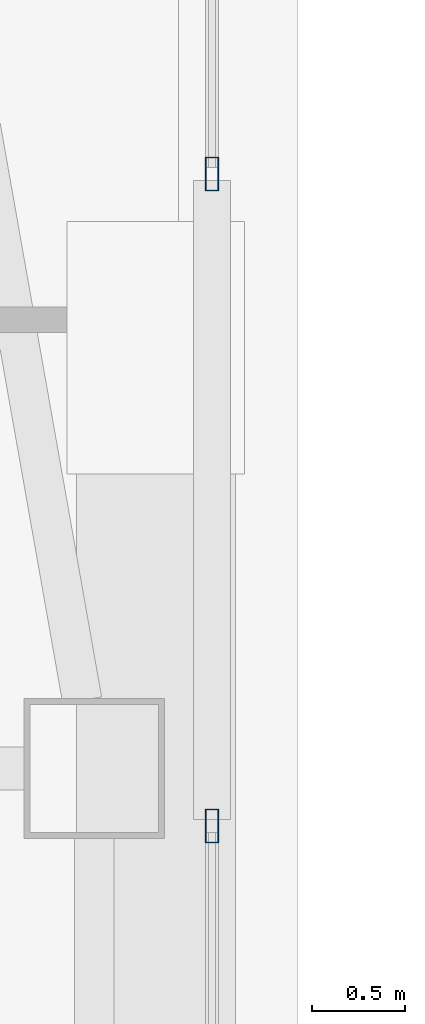
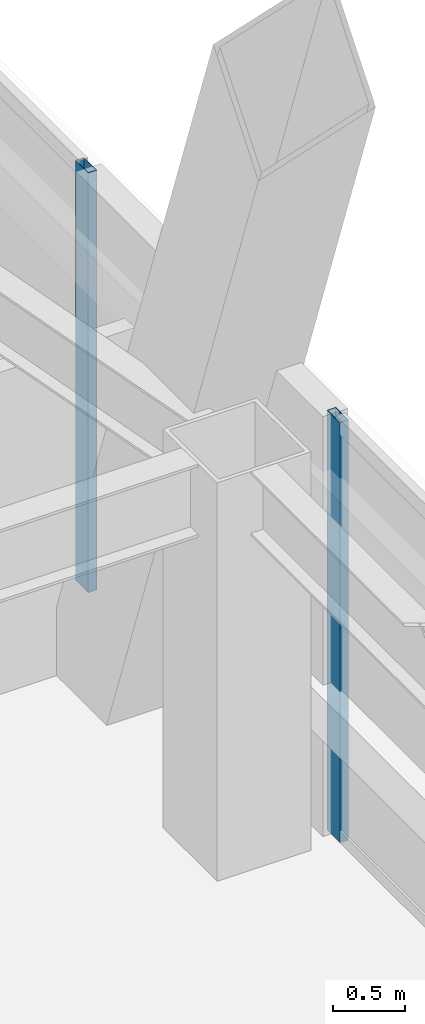
# One storey, part 15 of 55: 2 members, 2 elements without a shape of their own.
"""IFC4 building model written with IfcOpenShell, lengths in metres."""

import ifcopenshell
import ifcopenshell.guid

model = None  # the IFC model being written
_history = None  # IfcOwnerHistory: only IFC2X3 demands one
_inside = {}  # id of a spatial element -> (the spatial element, [elements in it])
_under = {}  # id of a project, library or spatial element -> (it, [spatial elements below it])
_declared = {}  # id of a project -> (the project, [libraries it declares])
_typed = {}  # id of a type object -> (the type object, [elements of that type])
_made_of = {}  # id of a material, layer set ... -> (it, [elements and type objects made of it])


def new_model(schema):
    """Start an empty IFC model of exactly this schema.

    Asked for "IFC4X3", IfcOpenShell would pick the latest addendum, in which some entities
    have other attributes; the version numbers below select the first issue.
    IFC2X3 requires an IfcOwnerHistory on every rooted entity: one is made here for all.
    """
    global model, _history
    if schema == "IFC4X3":
        model = ifcopenshell.file(schema_version=(4, 3, 0, 0))
    else:
        model = ifcopenshell.file(schema=schema)
    _inside.clear()
    _under.clear()
    _declared.clear()
    _typed.clear()
    _made_of.clear()
    _history = None
    if model.schema == "IFC2X3":
        org = make("IfcOrganization", Name="unknown")
        user = make(
            "IfcPersonAndOrganization",
            ThePerson=make("IfcPerson", FamilyName="unknown"),
            TheOrganization=org,
        )
        app = make(
            "IfcApplication",
            ApplicationDeveloper=org,
            Version="unknown",
            ApplicationFullName="unknown",
            ApplicationIdentifier="unknown",
        )
        _history = make(
            "IfcOwnerHistory",
            OwningUser=user,
            OwningApplication=app,
            ChangeAction="ADDED",
            CreationDate=0,
        )
    return model


def make(cls, **values):
    """One entity of the class cls with the attributes given. An attribute that is None is left unset."""
    return model.create_entity(
        cls, **{name: value for name, value in values.items() if value is not None}
    )


def rooted(cls, **values):
    """An entity with a GlobalId (a new one), such as an element, a storey or a relation."""
    return make(cls, GlobalId=ifcopenshell.guid.new(), OwnerHistory=_history, **values)


def si_unit(unit_type, name, prefix=None):
    """IfcSIUnit, for example si_unit("LENGTHUNIT", "METRE", prefix="MILLI")."""
    return make("IfcSIUnit", UnitType=unit_type, Prefix=prefix, Name=name)


def assignment(units):
    """IfcUnitAssignment: the units of a project."""
    return None if units is None else make("IfcUnitAssignment", Units=units)


def point(xyz):
    """IfcCartesianPoint."""
    return None if xyz is None else make("IfcCartesianPoint", Coordinates=xyz)


def direction(xyz):
    """IfcDirection."""
    return None if xyz is None else make("IfcDirection", DirectionRatios=xyz)


def frame(location, z_axis=None, x_axis=None):
    """IfcAxis2Placement3D, a coordinate frame: its origin and axes. An axis left out is left unset."""
    return make(
        "IfcAxis2Placement3D",
        Location=point(location),
        Axis=direction(z_axis),
        RefDirection=direction(x_axis),
    )


def frame_2d(location, x_axis=None):
    """IfcAxis2Placement2D, a coordinate frame in the plane: its origin and x axis."""
    return make(
        "IfcAxis2Placement2D", Location=point(location), RefDirection=direction(x_axis)
    )


def origin():
    """The frame at (0, 0, 0) with its axes left unset."""
    return frame((0.0, 0.0, 0.0))


def origin_2d():
    """The frame at (0, 0) in the plane with its x axis left unset."""
    return frame_2d((0.0, 0.0))


def place(relative_to, where):
    """IfcLocalPlacement: puts the frame where relative to a parent placement (None: the world)."""
    return make(
        "IfcLocalPlacement", PlacementRelTo=relative_to, RelativePlacement=where
    )


def context(
    kind, dimensions, precision=None, world=None, true_north=None, identifier=None
):
    """IfcGeometricRepresentationContext, for example the 3D "Model" context."""
    return make(
        "IfcGeometricRepresentationContext",
        ContextIdentifier=identifier,
        ContextType=kind,
        CoordinateSpaceDimension=dimensions,
        Precision=precision,
        WorldCoordinateSystem=world,
        TrueNorth=true_north,
    )


def subcontext(parent, identifier, kind, view, scale=None):
    """IfcGeometricRepresentationSubContext, for example "Body" below "Model"."""
    return make(
        "IfcGeometricRepresentationSubContext",
        ContextIdentifier=identifier,
        ContextType=kind,
        ParentContext=parent,
        TargetScale=scale,
        TargetView=view,
    )


def project(units=None, contexts=None):
    """IfcProject with its units and contexts."""
    return rooted(
        "IfcProject",
        Name="project",
        RepresentationContexts=contexts,
        UnitsInContext=assignment(units),
    )


def spatial(cls, under=None, at=None, **own):
    """A site, building, storey or space (cls), placed at a placement, below another one or the project."""
    s = rooted(cls, ObjectPlacement=at, **own)
    if under is not None:
        _under.setdefault(under.id(), (under, []))[1].append(s)
    return s


def profile(cls, at=None, kind="AREA", **sizes):
    """A parametric profile (cls). Its sizes go by their IFC names, for example OverallWidth=200.0."""
    return make(cls, ProfileType=kind, Position=at, **sizes)


def hollow_rectangle(**sizes):
    """IfcRectangleHollowProfileDef."""
    return profile("IfcRectangleHollowProfileDef", **sizes)


def extrude(swept, where, along, depth):
    """IfcExtrudedAreaSolid: the profile swept, set in the frame where, extruded along a direction by depth."""
    return make(
        "IfcExtrudedAreaSolid",
        SweptArea=swept,
        Position=where,
        ExtrudedDirection=direction(along),
        Depth=depth,
    )


def shape(context_of_items, identifier, shape_type, items):
    """IfcShapeRepresentation: the items that make up one representation, for example the "Body"."""
    return make(
        "IfcShapeRepresentation",
        ContextOfItems=context_of_items,
        RepresentationIdentifier=identifier,
        RepresentationType=shape_type,
        Items=items,
    )


def material(Name=None, Category=None):
    """IfcMaterial."""
    return make("IfcMaterial", Name=Name, Category=Category)


def material_profile(
    of_material, cross_section, Name=None, Category=None, Priority=None
):
    """IfcMaterialProfile: a cross section and its material."""
    return make(
        "IfcMaterialProfile",
        Name=Name,
        Material=of_material,
        Profile=cross_section,
        Priority=Priority,
        Category=Category,
    )


def profile_set(profiles, Name=None, composite=None):
    """IfcMaterialProfileSet."""
    return make(
        "IfcMaterialProfileSet",
        Name=Name,
        MaterialProfiles=profiles,
        CompositeProfile=composite,
    )


def made_of(thing, what):
    """Note that an element or type object is made of a material, layer set ...; save() writes the relation."""
    if what is not None:
        _made_of.setdefault(what.id(), (what, []))[1].append(thing)
    return thing


def type_object(cls, material=None, **own):
    """A type object (cls), such as IfcWallType, which elements share."""
    return made_of(rooted(cls, **own), material)


def element(
    cls,
    number,
    at=None,
    inside=None,
    cuts=None,
    type_object=None,
    material=None,
    context=None,
    identifier="Body",
    shape_type=None,
    held_by="IfcProductDefinitionShape",
    body=None,
    shapes=None,
    **own,
):
    """One element of the class cls, such as IfcWall. Its Tag is "e" and its number.

    at: its placement. inside: the storey or other place that contains it. cuts: it is an
    opening in that element (IfcRelVoidsElement). A single representation is given by context,
    identifier, shape_type and body (its items); several are given by shapes. held_by: the class
    of the entity that holds the representations. save() writes the other relations.
    """
    e = rooted(cls, Tag="e%d" % number, ObjectPlacement=at, **own)
    if body is not None:
        shapes = [shape(context, identifier, shape_type, body)]
    if shapes is not None:
        e.Representation = make(held_by, Representations=shapes)
    if inside is not None:
        _inside.setdefault(inside.id(), (inside, []))[1].append(e)
    if cuts is not None:
        rooted(
            "IfcRelVoidsElement", RelatingBuildingElement=cuts, RelatedOpeningElement=e
        )
    if type_object is not None:
        _typed.setdefault(type_object.id(), (type_object, []))[1].append(e)
    return made_of(e, material)


def aggregate(whole, parts):
    """IfcRelAggregates: a whole, such as a stair, and the parts it consists of."""
    return rooted("IfcRelAggregates", RelatingObject=whole, RelatedObjects=parts)


def save(model, path):
    """Write the relations noted so far, then the file.

    IfcRelAggregates (storeys below a building ...), IfcRelContainedInSpatialStructure (elements
    in a storey), IfcRelDefinesByType, IfcRelAssociatesMaterial and IfcRelDeclares: one each for
    every whole, place, type object, material and project.
    """
    for whole, parts in _under.values():
        aggregate(whole, parts)
    for where, things in _inside.values():
        rooted(
            "IfcRelContainedInSpatialStructure",
            RelatedElements=things,
            RelatingStructure=where,
        )
    for kind, things in _typed.values():
        rooted("IfcRelDefinesByType", RelatedObjects=things, RelatingType=kind)
    for what, things in _made_of.values():
        rooted("IfcRelAssociatesMaterial", RelatedObjects=things, RelatingMaterial=what)
    for by, libraries in _declared.values():
        rooted("IfcRelDeclares", RelatingContext=by, RelatedDefinitions=libraries)
    model.write(path)


model = new_model("IFC4")

# Units and contexts
model_context = context("Model", 3, precision=1e-05, world=origin(), true_north=direction((0.0, 1.0)))
body_context = subcontext(model_context, "Body", "Model", "MODEL_VIEW")
ifc_project = project(units=[si_unit("LENGTHUNIT", "METRE"), si_unit("AREAUNIT", "SQUARE_METRE"), si_unit("VOLUMEUNIT", "CUBIC_METRE"), si_unit("PLANEANGLEUNIT", "RADIAN"), si_unit("MASSUNIT", "GRAM", prefix="KILO")], contexts=[model_context])

# Site, building, storey
site_placement = place(None, origin())
site = spatial("IfcSite", under=ifc_project, at=site_placement, CompositionType="ELEMENT")
building_placement = place(site_placement, origin())
building = spatial("IfcBuilding", under=site, at=building_placement, Name="Tashvorn Skyway Center", CompositionType="ELEMENT")
storey_placement = place(building_placement, frame((0.0, 0.0, 178.300048828125)))
storey = spatial("IfcBuildingStorey", under=building, at=storey_placement, Name="L48", CompositionType="ELEMENT", Elevation=178.300048828125)

# Curtain wall, member
ifc_material = material(Name="Thermally broken bronze-anodized aluminium 6063-T6", Category="aluminium")
curtain_wall_type = type_object("IfcCurtainWallType", Name="CW-CW-Z4", PredefinedType="NOTDEFINED", material=ifc_material)
curtain_wall_1_placement = place(storey_placement, origin())
curtain_wall_1 = element("IfcCurtainWall", 1, at=curtain_wall_1_placement, inside=storey, type_object=curtain_wall_type, Name="Tower 1 L48 East Unitised Curtain Wall Glazing Group 1", PredefinedType="NOTDEFINED")
ifc_material_profile = material_profile(ifc_material, hollow_rectangle(XDim=0.070068359375, YDim=0.179931640625, WallThickness=0.00390625, at=origin_2d()), Name="ALU-MULL-70x180")
ifc_profile_set = profile_set([ifc_material_profile], Name="Thermally broken bronze-anodized aluminium 6063-T6")
member_type = type_object("IfcMemberType", Name="CWM-CW-Z4", PredefinedType="MULLION", material=ifc_profile_set)
member_1_placement = place(storey_placement, frame((59.679931640625, 40.579345703125, 0.0), z_axis=(0.0, 0.0, 1.0), x_axis=(1.0, 0.0, 0.0)))
member_1 = element("IfcMember", 2, at=member_1_placement, type_object=member_type, Name="CW-Z4 mullion 3", PredefinedType="MULLION", context=body_context, shape_type="SweptSolid", body=[
    extrude(hollow_rectangle(XDim=0.070068359375, YDim=0.179931640625, WallThickness=0.00390625, at=origin_2d()), origin(), (0.0, 0.0, 1.0), 3.550048828125),
])
aggregate(curtain_wall_1, [member_1])

curtain_wall_2_placement = place(storey_placement, origin())
curtain_wall_2 = element("IfcCurtainWall", 3, at=curtain_wall_2_placement, inside=storey, type_object=curtain_wall_type, Name="Tower 1 L48 East Unitised Curtain Wall Glazing Group 2", PredefinedType="NOTDEFINED")
member_2_placement = place(storey_placement, frame((59.679931640625, 37.091796875, 0.0), z_axis=(0.0, 0.0, 1.0), x_axis=(1.0, 0.0, 0.0)))
member_2 = element("IfcMember", 4, at=member_2_placement, type_object=member_type, Name="CW-Z4 mullion 1", PredefinedType="MULLION", context=body_context, shape_type="SweptSolid", body=[
    extrude(hollow_rectangle(XDim=0.070068359375, YDim=0.179931640625, WallThickness=0.00390625, at=origin_2d()), origin(), (0.0, 0.0, 1.0), 3.550048828125),
])
aggregate(curtain_wall_2, [member_2])

save(model, "model.ifc")
